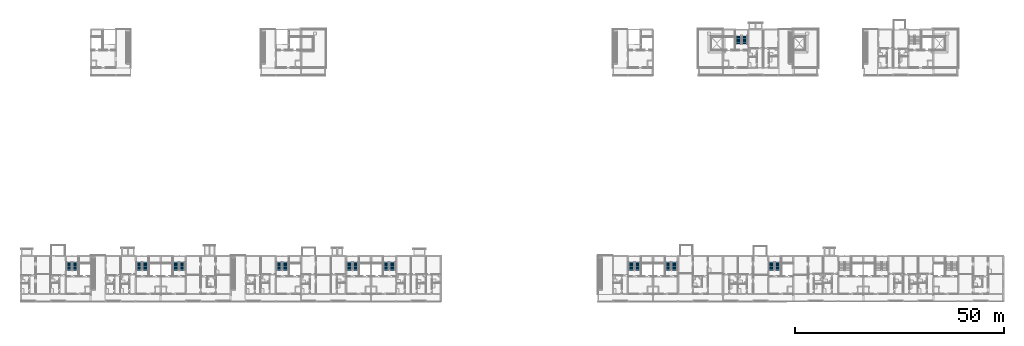
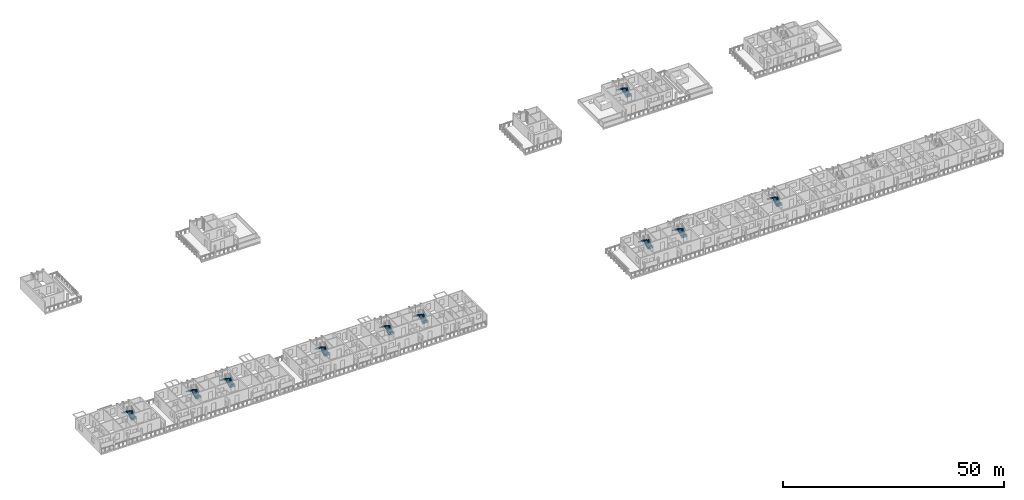
# One storey, part 53 of 78: 20 stair flights, 10 elements without a shape of their own.
"""IFC4 building model written with IfcOpenShell, lengths in metres."""

from ifc_helpers import new_model, si_unit, direction, frame, origin, place, context, subcontext, project, spatial, polyline, outline, extrude, material, type_object, element, aggregate, save


model = new_model("IFC4")

# Units and contexts
model_context = context("Model", 3, precision=1e-05, world=origin(), true_north=direction((0.0, 1.0)))
body_context = subcontext(model_context, "Body", "Model", "MODEL_VIEW")
ifc_project = project(units=[si_unit("LENGTHUNIT", "METRE"), si_unit("AREAUNIT", "SQUARE_METRE"), si_unit("VOLUMEUNIT", "CUBIC_METRE"), si_unit("PLANEANGLEUNIT", "RADIAN"), si_unit("MASSUNIT", "GRAM", prefix="KILO")], contexts=[model_context])

# Site, building, storey
site_placement = place(None, origin())
site = spatial("IfcSite", under=ifc_project, at=site_placement, CompositionType="ELEMENT")
building_placement = place(site_placement, origin())
building = spatial("IfcBuilding", under=site, at=building_placement, Name="Ridgestep Commons", CompositionType="ELEMENT")
storey_placement = place(building_placement, frame((0.0, 0.0, 30.0)))
storey = spatial("IfcBuildingStorey", under=building, at=storey_placement, Name="L10", CompositionType="ELEMENT", Elevation=30.0)

# Stair, stair flights
ifc_material_1 = material(Name="Precast concrete C40/50", Category="concrete")
stair_type = type_object("IfcStairType", Name="Escape stair 1400", PredefinedType="HALF_TURN_STAIR", material=ifc_material_1)
stair_1_placement = place(storey_placement, origin())
stair_1 = element("IfcStair", 1, at=stair_1_placement, inside=storey, type_object=stair_type, Name="L10 Escape stair A1C", PredefinedType="HALF_TURN_STAIR")
ifc_material_2 = material(Name="Precast concrete C40/50", Category="concrete")
stair_flight_type = type_object("IfcStairFlightType", Name="Stair flight 1400", PredefinedType="STRAIGHT", material=ifc_material_2)
stair_flight_1_placement = place(storey_placement, frame((25.125, 19.35009765625, 0.0), z_axis=(0.0, 0.0, 1.0), x_axis=(0.0, 1.0, 0.0)))
stair_flight_1 = element("IfcStairFlight", 2, at=stair_flight_1_placement, type_object=stair_flight_type, Name="A1C flight 1", NumberOfRisers=8, NumberOfTreads=7, PredefinedType="STRAIGHT", RiserHeight=0.1875, TreadLength=0.28, context=body_context, shape_type="SweptSolid", body=[
    extrude(outline(polyline([(0.0, 0.0), (0.0, 0.1875), (0.280029296875, 0.1875), (0.280029296875, 0.375), (0.56005859375, 0.375), (0.56005859375, 0.5625), (0.840087890625, 0.5625), (0.840087890625, 0.75), (1.1201171875, 0.75), (1.1201171875, 0.9375), (1.39990234375, 0.9375), (1.39990234375, 1.125), (1.679931640625, 1.125), (1.679931640625, 1.3125), (1.9599609375, 1.3125), (1.9599609375, 1.5), (1.9599609375, 1.132080078125), (0.26953125, 0.0), (0.0, 0.0)])), frame((0.0, 0.699951171875, 0.0), z_axis=(0.0, -1.0, 0.0), x_axis=(1.0, 0.0, 0.0)), (0.0, 0.0, 1.0), 0.695068359375),
    extrude(outline(polyline([(0.0, 0.0), (0.0, 0.1875), (0.280029296875, 0.1875), (0.280029296875, 0.375), (0.56005859375, 0.375), (0.56005859375, 0.5625), (0.840087890625, 0.5625), (0.840087890625, 0.75), (1.1201171875, 0.75), (1.1201171875, 0.9375), (1.39990234375, 0.9375), (1.39990234375, 1.125), (1.679931640625, 1.125), (1.679931640625, 1.3125), (1.9599609375, 1.3125), (1.9599609375, 1.5), (1.9599609375, 1.132080078125), (0.26953125, 0.0), (0.0, 0.0)])), frame((0.0, -0.0048828125, 0.0), z_axis=(0.0, -1.0, 0.0), x_axis=(1.0, 0.0, 0.0)), (0.0, 0.0, 1.0), 0.695068359375),
])
stair_flight_2_placement = place(storey_placement, frame((23.625, 21.31005859375, 1.5), z_axis=(0.0, 0.0, 1.0), x_axis=(0.0, -1.0, 0.0)))
stair_flight_2 = element("IfcStairFlight", 3, at=stair_flight_2_placement, type_object=stair_flight_type, Name="A1C flight 2", NumberOfRisers=8, NumberOfTreads=7, PredefinedType="STRAIGHT", RiserHeight=0.1875, TreadLength=0.28, context=body_context, shape_type="SweptSolid", body=[
    extrude(outline(polyline([(0.0, 0.0), (0.0, 0.1875), (0.280029296875, 0.1875), (0.280029296875, 0.375), (0.56005859375, 0.375), (0.56005859375, 0.5625), (0.840087890625, 0.5625), (0.840087890625, 0.75), (1.1201171875, 0.75), (1.1201171875, 0.9375), (1.39990234375, 0.9375), (1.39990234375, 1.125), (1.679931640625, 1.125), (1.679931640625, 1.3125), (1.9599609375, 1.3125), (1.9599609375, 1.5), (1.9599609375, 1.132080078125), (0.26953125, 0.0), (0.0, 0.0)])), frame((0.0, 0.699951171875, 0.0), z_axis=(0.0, -1.0, 0.0), x_axis=(1.0, 0.0, 0.0)), (0.0, 0.0, 1.0), 0.695068359375),
    extrude(outline(polyline([(0.0, 0.0), (0.0, 0.1875), (0.280029296875, 0.1875), (0.280029296875, 0.375), (0.56005859375, 0.375), (0.56005859375, 0.5625), (0.840087890625, 0.5625), (0.840087890625, 0.75), (1.1201171875, 0.75), (1.1201171875, 0.9375), (1.39990234375, 0.9375), (1.39990234375, 1.125), (1.679931640625, 1.125), (1.679931640625, 1.3125), (1.9599609375, 1.3125), (1.9599609375, 1.5), (1.9599609375, 1.132080078125), (0.26953125, 0.0), (0.0, 0.0)])), frame((0.0, -0.0048828125, 0.0), z_axis=(0.0, -1.0, 0.0), x_axis=(1.0, 0.0, 0.0)), (0.0, 0.0, 1.0), 0.695068359375),
])
aggregate(stair_1, [stair_flight_1, stair_flight_2])

stair_2_placement = place(storey_placement, origin())
stair_2 = element("IfcStair", 4, at=stair_2_placement, inside=storey, type_object=stair_type, Name="L10 Escape stair A2C", PredefinedType="HALF_TURN_STAIR")
stair_flight_3_placement = place(storey_placement, frame((41.925048828125, 19.35009765625, 0.0), z_axis=(0.0, 0.0, 1.0), x_axis=(0.0, 1.0, 0.0)))
stair_flight_3 = element("IfcStairFlight", 5, at=stair_flight_3_placement, type_object=stair_flight_type, Name="A2C flight 1", NumberOfRisers=8, NumberOfTreads=7, PredefinedType="STRAIGHT", RiserHeight=0.1875, TreadLength=0.28, context=body_context, shape_type="SweptSolid", body=[
    extrude(outline(polyline([(0.0, 0.0), (0.0, 0.1875), (0.280029296875, 0.1875), (0.280029296875, 0.375), (0.56005859375, 0.375), (0.56005859375, 0.5625), (0.840087890625, 0.5625), (0.840087890625, 0.75), (1.1201171875, 0.75), (1.1201171875, 0.9375), (1.39990234375, 0.9375), (1.39990234375, 1.125), (1.679931640625, 1.125), (1.679931640625, 1.3125), (1.9599609375, 1.3125), (1.9599609375, 1.5), (1.9599609375, 1.132080078125), (0.26953125, 0.0), (0.0, 0.0)])), frame((0.0, 0.699951171875, 0.0), z_axis=(0.0, -1.0, 0.0), x_axis=(1.0, 0.0, 0.0)), (0.0, 0.0, 1.0), 0.695068359375),
    extrude(outline(polyline([(0.0, 0.0), (0.0, 0.1875), (0.280029296875, 0.1875), (0.280029296875, 0.375), (0.56005859375, 0.375), (0.56005859375, 0.5625), (0.840087890625, 0.5625), (0.840087890625, 0.75), (1.1201171875, 0.75), (1.1201171875, 0.9375), (1.39990234375, 0.9375), (1.39990234375, 1.125), (1.679931640625, 1.125), (1.679931640625, 1.3125), (1.9599609375, 1.3125), (1.9599609375, 1.5), (1.9599609375, 1.132080078125), (0.26953125, 0.0), (0.0, 0.0)])), frame((0.0, -0.0048828125, 0.0), z_axis=(0.0, -1.0, 0.0), x_axis=(1.0, 0.0, 0.0)), (0.0, 0.0, 1.0), 0.695068359375),
])
stair_flight_4_placement = place(storey_placement, frame((40.425048828125, 21.31005859375, 1.5), z_axis=(0.0, 0.0, 1.0), x_axis=(0.0, -1.0, 0.0)))
stair_flight_4 = element("IfcStairFlight", 6, at=stair_flight_4_placement, type_object=stair_flight_type, Name="A2C flight 2", NumberOfRisers=8, NumberOfTreads=7, PredefinedType="STRAIGHT", RiserHeight=0.1875, TreadLength=0.28, context=body_context, shape_type="SweptSolid", body=[
    extrude(outline(polyline([(0.0, 0.0), (0.0, 0.1875), (0.280029296875, 0.1875), (0.280029296875, 0.375), (0.56005859375, 0.375), (0.56005859375, 0.5625), (0.840087890625, 0.5625), (0.840087890625, 0.75), (1.1201171875, 0.75), (1.1201171875, 0.9375), (1.39990234375, 0.9375), (1.39990234375, 1.125), (1.679931640625, 1.125), (1.679931640625, 1.3125), (1.9599609375, 1.3125), (1.9599609375, 1.5), (1.9599609375, 1.132080078125), (0.26953125, 0.0), (0.0, 0.0)])), frame((0.0, 0.699951171875, 0.0), z_axis=(0.0, -1.0, 0.0), x_axis=(1.0, 0.0, 0.0)), (0.0, 0.0, 1.0), 0.695068359375),
    extrude(outline(polyline([(0.0, 0.0), (0.0, 0.1875), (0.280029296875, 0.1875), (0.280029296875, 0.375), (0.56005859375, 0.375), (0.56005859375, 0.5625), (0.840087890625, 0.5625), (0.840087890625, 0.75), (1.1201171875, 0.75), (1.1201171875, 0.9375), (1.39990234375, 0.9375), (1.39990234375, 1.125), (1.679931640625, 1.125), (1.679931640625, 1.3125), (1.9599609375, 1.3125), (1.9599609375, 1.5), (1.9599609375, 1.132080078125), (0.26953125, 0.0), (0.0, 0.0)])), frame((0.0, -0.0048828125, 0.0), z_axis=(0.0, -1.0, 0.0), x_axis=(1.0, 0.0, 0.0)), (0.0, 0.0, 1.0), 0.695068359375),
])
aggregate(stair_2, [stair_flight_3, stair_flight_4])

stair_3_placement = place(storey_placement, origin())
stair_3 = element("IfcStair", 7, at=stair_3_placement, inside=storey, type_object=stair_type, Name="L10 Escape stair A3C", PredefinedType="HALF_TURN_STAIR")
stair_flight_5_placement = place(storey_placement, frame((50.77490234375, 19.35009765625, 0.0), z_axis=(0.0, 0.0, 1.0), x_axis=(0.0, 1.0, 0.0)))
stair_flight_5 = element("IfcStairFlight", 8, at=stair_flight_5_placement, type_object=stair_flight_type, Name="A3C flight 1", NumberOfRisers=8, NumberOfTreads=7, PredefinedType="STRAIGHT", RiserHeight=0.1875, TreadLength=0.28, context=body_context, shape_type="SweptSolid", body=[
    extrude(outline(polyline([(0.0, 0.0), (0.0, 0.1875), (0.280029296875, 0.1875), (0.280029296875, 0.375), (0.56005859375, 0.375), (0.56005859375, 0.5625), (0.840087890625, 0.5625), (0.840087890625, 0.75), (1.1201171875, 0.75), (1.1201171875, 0.9375), (1.39990234375, 0.9375), (1.39990234375, 1.125), (1.679931640625, 1.125), (1.679931640625, 1.3125), (1.9599609375, 1.3125), (1.9599609375, 1.5), (1.9599609375, 1.132080078125), (0.26953125, 0.0), (0.0, 0.0)])), frame((0.0, 0.699951171875, 0.0), z_axis=(0.0, -1.0, 0.0), x_axis=(1.0, 0.0, 0.0)), (0.0, 0.0, 1.0), 0.695068359375),
    extrude(outline(polyline([(0.0, 0.0), (0.0, 0.1875), (0.280029296875, 0.1875), (0.280029296875, 0.375), (0.56005859375, 0.375), (0.56005859375, 0.5625), (0.840087890625, 0.5625), (0.840087890625, 0.75), (1.1201171875, 0.75), (1.1201171875, 0.9375), (1.39990234375, 0.9375), (1.39990234375, 1.125), (1.679931640625, 1.125), (1.679931640625, 1.3125), (1.9599609375, 1.3125), (1.9599609375, 1.5), (1.9599609375, 1.132080078125), (0.26953125, 0.0), (0.0, 0.0)])), frame((0.0, -0.0048828125, 0.0), z_axis=(0.0, -1.0, 0.0), x_axis=(1.0, 0.0, 0.0)), (0.0, 0.0, 1.0), 0.695068359375),
])
stair_flight_6_placement = place(storey_placement, frame((49.27490234375, 21.31005859375, 1.5), z_axis=(0.0, 0.0, 1.0), x_axis=(0.0, -1.0, 0.0)))
stair_flight_6 = element("IfcStairFlight", 9, at=stair_flight_6_placement, type_object=stair_flight_type, Name="A3C flight 2", NumberOfRisers=8, NumberOfTreads=7, PredefinedType="STRAIGHT", RiserHeight=0.1875, TreadLength=0.28, context=body_context, shape_type="SweptSolid", body=[
    extrude(outline(polyline([(0.0, 0.0), (0.0, 0.1875), (0.280029296875, 0.1875), (0.280029296875, 0.375), (0.56005859375, 0.375), (0.56005859375, 0.5625), (0.840087890625, 0.5625), (0.840087890625, 0.75), (1.1201171875, 0.75), (1.1201171875, 0.9375), (1.39990234375, 0.9375), (1.39990234375, 1.125), (1.679931640625, 1.125), (1.679931640625, 1.3125), (1.9599609375, 1.3125), (1.9599609375, 1.5), (1.9599609375, 1.132080078125), (0.26953125, 0.0), (0.0, 0.0)])), frame((0.0, 0.699951171875, 0.0), z_axis=(0.0, -1.0, 0.0), x_axis=(1.0, 0.0, 0.0)), (0.0, 0.0, 1.0), 0.695068359375),
    extrude(outline(polyline([(0.0, 0.0), (0.0, 0.1875), (0.280029296875, 0.1875), (0.280029296875, 0.375), (0.56005859375, 0.375), (0.56005859375, 0.5625), (0.840087890625, 0.5625), (0.840087890625, 0.75), (1.1201171875, 0.75), (1.1201171875, 0.9375), (1.39990234375, 0.9375), (1.39990234375, 1.125), (1.679931640625, 1.125), (1.679931640625, 1.3125), (1.9599609375, 1.3125), (1.9599609375, 1.5), (1.9599609375, 1.132080078125), (0.26953125, 0.0), (0.0, 0.0)])), frame((0.0, -0.0048828125, 0.0), z_axis=(0.0, -1.0, 0.0), x_axis=(1.0, 0.0, 0.0)), (0.0, 0.0, 1.0), 0.695068359375),
])
aggregate(stair_3, [stair_flight_5, stair_flight_6])

stair_4_placement = place(storey_placement, origin())
stair_4 = element("IfcStair", 10, at=stair_4_placement, inside=storey, type_object=stair_type, Name="L10 Escape stair A4C", PredefinedType="HALF_TURN_STAIR")
stair_flight_7_placement = place(storey_placement, frame((75.52490234375, 19.35009765625, 0.0), z_axis=(0.0, 0.0, 1.0), x_axis=(0.0, 1.0, 0.0)))
stair_flight_7 = element("IfcStairFlight", 11, at=stair_flight_7_placement, type_object=stair_flight_type, Name="A4C flight 1", NumberOfRisers=8, NumberOfTreads=7, PredefinedType="STRAIGHT", RiserHeight=0.1875, TreadLength=0.28, context=body_context, shape_type="SweptSolid", body=[
    extrude(outline(polyline([(0.0, 0.0), (0.0, 0.1875), (0.280029296875, 0.1875), (0.280029296875, 0.375), (0.56005859375, 0.375), (0.56005859375, 0.5625), (0.840087890625, 0.5625), (0.840087890625, 0.75), (1.1201171875, 0.75), (1.1201171875, 0.9375), (1.39990234375, 0.9375), (1.39990234375, 1.125), (1.679931640625, 1.125), (1.679931640625, 1.3125), (1.9599609375, 1.3125), (1.9599609375, 1.5), (1.9599609375, 1.132080078125), (0.26953125, 0.0), (0.0, 0.0)])), frame((0.0, 0.699951171875, 0.0), z_axis=(0.0, -1.0, 0.0), x_axis=(1.0, 0.0, 0.0)), (0.0, 0.0, 1.0), 0.695068359375),
    extrude(outline(polyline([(0.0, 0.0), (0.0, 0.1875), (0.280029296875, 0.1875), (0.280029296875, 0.375), (0.56005859375, 0.375), (0.56005859375, 0.5625), (0.840087890625, 0.5625), (0.840087890625, 0.75), (1.1201171875, 0.75), (1.1201171875, 0.9375), (1.39990234375, 0.9375), (1.39990234375, 1.125), (1.679931640625, 1.125), (1.679931640625, 1.3125), (1.9599609375, 1.3125), (1.9599609375, 1.5), (1.9599609375, 1.132080078125), (0.26953125, 0.0), (0.0, 0.0)])), frame((0.0, -0.0048828125, 0.0), z_axis=(0.0, -1.0, 0.0), x_axis=(1.0, 0.0, 0.0)), (0.0, 0.0, 1.0), 0.695068359375),
])
stair_flight_8_placement = place(storey_placement, frame((74.02490234375, 21.31005859375, 1.5), z_axis=(0.0, 0.0, 1.0), x_axis=(0.0, -1.0, 0.0)))
stair_flight_8 = element("IfcStairFlight", 12, at=stair_flight_8_placement, type_object=stair_flight_type, Name="A4C flight 2", NumberOfRisers=8, NumberOfTreads=7, PredefinedType="STRAIGHT", RiserHeight=0.1875, TreadLength=0.28, context=body_context, shape_type="SweptSolid", body=[
    extrude(outline(polyline([(0.0, 0.0), (0.0, 0.1875), (0.280029296875, 0.1875), (0.280029296875, 0.375), (0.56005859375, 0.375), (0.56005859375, 0.5625), (0.840087890625, 0.5625), (0.840087890625, 0.75), (1.1201171875, 0.75), (1.1201171875, 0.9375), (1.39990234375, 0.9375), (1.39990234375, 1.125), (1.679931640625, 1.125), (1.679931640625, 1.3125), (1.9599609375, 1.3125), (1.9599609375, 1.5), (1.9599609375, 1.132080078125), (0.26953125, 0.0), (0.0, 0.0)])), frame((0.0, 0.699951171875, 0.0), z_axis=(0.0, -1.0, 0.0), x_axis=(1.0, 0.0, 0.0)), (0.0, 0.0, 1.0), 0.695068359375),
    extrude(outline(polyline([(0.0, 0.0), (0.0, 0.1875), (0.280029296875, 0.1875), (0.280029296875, 0.375), (0.56005859375, 0.375), (0.56005859375, 0.5625), (0.840087890625, 0.5625), (0.840087890625, 0.75), (1.1201171875, 0.75), (1.1201171875, 0.9375), (1.39990234375, 0.9375), (1.39990234375, 1.125), (1.679931640625, 1.125), (1.679931640625, 1.3125), (1.9599609375, 1.3125), (1.9599609375, 1.5), (1.9599609375, 1.132080078125), (0.26953125, 0.0), (0.0, 0.0)])), frame((0.0, -0.0048828125, 0.0), z_axis=(0.0, -1.0, 0.0), x_axis=(1.0, 0.0, 0.0)), (0.0, 0.0, 1.0), 0.695068359375),
])
aggregate(stair_4, [stair_flight_7, stair_flight_8])

stair_5_placement = place(storey_placement, origin())
stair_5 = element("IfcStair", 13, at=stair_5_placement, inside=storey, type_object=stair_type, Name="L10 Escape stair A5C", PredefinedType="HALF_TURN_STAIR")
stair_flight_9_placement = place(storey_placement, frame((92.324951171875, 19.35009765625, 0.0), z_axis=(0.0, 0.0, 1.0), x_axis=(0.0, 1.0, 0.0)))
stair_flight_9 = element("IfcStairFlight", 14, at=stair_flight_9_placement, type_object=stair_flight_type, Name="A5C flight 1", NumberOfRisers=8, NumberOfTreads=7, PredefinedType="STRAIGHT", RiserHeight=0.1875, TreadLength=0.28, context=body_context, shape_type="SweptSolid", body=[
    extrude(outline(polyline([(0.0, 0.0), (0.0, 0.1875), (0.280029296875, 0.1875), (0.280029296875, 0.375), (0.56005859375, 0.375), (0.56005859375, 0.5625), (0.840087890625, 0.5625), (0.840087890625, 0.75), (1.1201171875, 0.75), (1.1201171875, 0.9375), (1.39990234375, 0.9375), (1.39990234375, 1.125), (1.679931640625, 1.125), (1.679931640625, 1.3125), (1.9599609375, 1.3125), (1.9599609375, 1.5), (1.9599609375, 1.132080078125), (0.26953125, 0.0), (0.0, 0.0)])), frame((0.0, 0.699951171875, 0.0), z_axis=(0.0, -1.0, 0.0), x_axis=(1.0, 0.0, 0.0)), (0.0, 0.0, 1.0), 0.695068359375),
    extrude(outline(polyline([(0.0, 0.0), (0.0, 0.1875), (0.280029296875, 0.1875), (0.280029296875, 0.375), (0.56005859375, 0.375), (0.56005859375, 0.5625), (0.840087890625, 0.5625), (0.840087890625, 0.75), (1.1201171875, 0.75), (1.1201171875, 0.9375), (1.39990234375, 0.9375), (1.39990234375, 1.125), (1.679931640625, 1.125), (1.679931640625, 1.3125), (1.9599609375, 1.3125), (1.9599609375, 1.5), (1.9599609375, 1.132080078125), (0.26953125, 0.0), (0.0, 0.0)])), frame((0.0, -0.0048828125, 0.0), z_axis=(0.0, -1.0, 0.0), x_axis=(1.0, 0.0, 0.0)), (0.0, 0.0, 1.0), 0.695068359375),
])
stair_flight_10_placement = place(storey_placement, frame((90.824951171875, 21.31005859375, 1.5), z_axis=(0.0, 0.0, 1.0), x_axis=(0.0, -1.0, 0.0)))
stair_flight_10 = element("IfcStairFlight", 15, at=stair_flight_10_placement, type_object=stair_flight_type, Name="A5C flight 2", NumberOfRisers=8, NumberOfTreads=7, PredefinedType="STRAIGHT", RiserHeight=0.1875, TreadLength=0.28, context=body_context, shape_type="SweptSolid", body=[
    extrude(outline(polyline([(0.0, 0.0), (0.0, 0.1875), (0.280029296875, 0.1875), (0.280029296875, 0.375), (0.56005859375, 0.375), (0.56005859375, 0.5625), (0.840087890625, 0.5625), (0.840087890625, 0.75), (1.1201171875, 0.75), (1.1201171875, 0.9375), (1.39990234375, 0.9375), (1.39990234375, 1.125), (1.679931640625, 1.125), (1.679931640625, 1.3125), (1.9599609375, 1.3125), (1.9599609375, 1.5), (1.9599609375, 1.132080078125), (0.26953125, 0.0), (0.0, 0.0)])), frame((0.0, 0.699951171875, 0.0), z_axis=(0.0, -1.0, 0.0), x_axis=(1.0, 0.0, 0.0)), (0.0, 0.0, 1.0), 0.695068359375),
    extrude(outline(polyline([(0.0, 0.0), (0.0, 0.1875), (0.280029296875, 0.1875), (0.280029296875, 0.375), (0.56005859375, 0.375), (0.56005859375, 0.5625), (0.840087890625, 0.5625), (0.840087890625, 0.75), (1.1201171875, 0.75), (1.1201171875, 0.9375), (1.39990234375, 0.9375), (1.39990234375, 1.125), (1.679931640625, 1.125), (1.679931640625, 1.3125), (1.9599609375, 1.3125), (1.9599609375, 1.5), (1.9599609375, 1.132080078125), (0.26953125, 0.0), (0.0, 0.0)])), frame((0.0, -0.0048828125, 0.0), z_axis=(0.0, -1.0, 0.0), x_axis=(1.0, 0.0, 0.0)), (0.0, 0.0, 1.0), 0.695068359375),
])
aggregate(stair_5, [stair_flight_9, stair_flight_10])

stair_6_placement = place(storey_placement, origin())
stair_6 = element("IfcStair", 16, at=stair_6_placement, inside=storey, type_object=stair_type, Name="L10 Escape stair A6C", PredefinedType="HALF_TURN_STAIR")
stair_flight_11_placement = place(storey_placement, frame((101.175048828125, 19.35009765625, 0.0), z_axis=(0.0, 0.0, 1.0), x_axis=(0.0, 1.0, 0.0)))
stair_flight_11 = element("IfcStairFlight", 17, at=stair_flight_11_placement, type_object=stair_flight_type, Name="A6C flight 1", NumberOfRisers=8, NumberOfTreads=7, PredefinedType="STRAIGHT", RiserHeight=0.1875, TreadLength=0.28, context=body_context, shape_type="SweptSolid", body=[
    extrude(outline(polyline([(0.0, 0.0), (0.0, 0.1875), (0.280029296875, 0.1875), (0.280029296875, 0.375), (0.56005859375, 0.375), (0.56005859375, 0.5625), (0.840087890625, 0.5625), (0.840087890625, 0.75), (1.1201171875, 0.75), (1.1201171875, 0.9375), (1.39990234375, 0.9375), (1.39990234375, 1.125), (1.679931640625, 1.125), (1.679931640625, 1.3125), (1.9599609375, 1.3125), (1.9599609375, 1.5), (1.9599609375, 1.132080078125), (0.26953125, 0.0), (0.0, 0.0)])), frame((0.0, 0.699951171875, 0.0), z_axis=(0.0, -1.0, 0.0), x_axis=(1.0, 0.0, 0.0)), (0.0, 0.0, 1.0), 0.695068359375),
    extrude(outline(polyline([(0.0, 0.0), (0.0, 0.1875), (0.280029296875, 0.1875), (0.280029296875, 0.375), (0.56005859375, 0.375), (0.56005859375, 0.5625), (0.840087890625, 0.5625), (0.840087890625, 0.75), (1.1201171875, 0.75), (1.1201171875, 0.9375), (1.39990234375, 0.9375), (1.39990234375, 1.125), (1.679931640625, 1.125), (1.679931640625, 1.3125), (1.9599609375, 1.3125), (1.9599609375, 1.5), (1.9599609375, 1.132080078125), (0.26953125, 0.0), (0.0, 0.0)])), frame((0.0, -0.0048828125, 0.0), z_axis=(0.0, -1.0, 0.0), x_axis=(1.0, 0.0, 0.0)), (0.0, 0.0, 1.0), 0.695068359375),
])
stair_flight_12_placement = place(storey_placement, frame((99.675048828125, 21.31005859375, 1.5), z_axis=(0.0, 0.0, 1.0), x_axis=(0.0, -1.0, 0.0)))
stair_flight_12 = element("IfcStairFlight", 18, at=stair_flight_12_placement, type_object=stair_flight_type, Name="A6C flight 2", NumberOfRisers=8, NumberOfTreads=7, PredefinedType="STRAIGHT", RiserHeight=0.1875, TreadLength=0.28, context=body_context, shape_type="SweptSolid", body=[
    extrude(outline(polyline([(0.0, 0.0), (0.0, 0.1875), (0.280029296875, 0.1875), (0.280029296875, 0.375), (0.56005859375, 0.375), (0.56005859375, 0.5625), (0.840087890625, 0.5625), (0.840087890625, 0.75), (1.1201171875, 0.75), (1.1201171875, 0.9375), (1.39990234375, 0.9375), (1.39990234375, 1.125), (1.679931640625, 1.125), (1.679931640625, 1.3125), (1.9599609375, 1.3125), (1.9599609375, 1.5), (1.9599609375, 1.132080078125), (0.26953125, 0.0), (0.0, 0.0)])), frame((0.0, 0.699951171875, 0.0), z_axis=(0.0, -1.0, 0.0), x_axis=(1.0, 0.0, 0.0)), (0.0, 0.0, 1.0), 0.695068359375),
    extrude(outline(polyline([(0.0, 0.0), (0.0, 0.1875), (0.280029296875, 0.1875), (0.280029296875, 0.375), (0.56005859375, 0.375), (0.56005859375, 0.5625), (0.840087890625, 0.5625), (0.840087890625, 0.75), (1.1201171875, 0.75), (1.1201171875, 0.9375), (1.39990234375, 0.9375), (1.39990234375, 1.125), (1.679931640625, 1.125), (1.679931640625, 1.3125), (1.9599609375, 1.3125), (1.9599609375, 1.5), (1.9599609375, 1.132080078125), (0.26953125, 0.0), (0.0, 0.0)])), frame((0.0, -0.0048828125, 0.0), z_axis=(0.0, -1.0, 0.0), x_axis=(1.0, 0.0, 0.0)), (0.0, 0.0, 1.0), 0.695068359375),
])
aggregate(stair_6, [stair_flight_11, stair_flight_12])

stair_7_placement = place(storey_placement, origin())
stair_7 = element("IfcStair", 19, at=stair_7_placement, inside=storey, type_object=stair_type, Name="L10 Escape stair C3C", PredefinedType="HALF_TURN_STAIR")
stair_flight_13_placement = place(storey_placement, frame((185.574951171875, 73.60009765625, 0.0), z_axis=(0.0, 0.0, 1.0), x_axis=(0.0, 1.0, 0.0)))
stair_flight_13 = element("IfcStairFlight", 20, at=stair_flight_13_placement, type_object=stair_flight_type, Name="C3C flight 1", NumberOfRisers=8, NumberOfTreads=7, PredefinedType="STRAIGHT", RiserHeight=0.1875, TreadLength=0.28, context=body_context, shape_type="SweptSolid", body=[
    extrude(outline(polyline([(0.0, 0.0), (0.0, 0.1875), (0.280029296875, 0.1875), (0.280029296875, 0.375), (0.56005859375, 0.375), (0.56005859375, 0.5625), (0.840087890625, 0.5625), (0.840087890625, 0.75), (1.1201171875, 0.75), (1.1201171875, 0.9375), (1.39990234375, 0.9375), (1.39990234375, 1.125), (1.679931640625, 1.125), (1.679931640625, 1.3125), (1.9599609375, 1.3125), (1.9599609375, 1.5), (1.9599609375, 1.132080078125), (0.26953125, 0.0), (0.0, 0.0)])), frame((0.0, 0.699951171875, 0.0), z_axis=(0.0, -1.0, 0.0), x_axis=(1.0, 0.0, 0.0)), (0.0, 0.0, 1.0), 0.695068359375),
    extrude(outline(polyline([(0.0, 0.0), (0.0, 0.1875), (0.280029296875, 0.1875), (0.280029296875, 0.375), (0.56005859375, 0.375), (0.56005859375, 0.5625), (0.840087890625, 0.5625), (0.840087890625, 0.75), (1.1201171875, 0.75), (1.1201171875, 0.9375), (1.39990234375, 0.9375), (1.39990234375, 1.125), (1.679931640625, 1.125), (1.679931640625, 1.3125), (1.9599609375, 1.3125), (1.9599609375, 1.5), (1.9599609375, 1.132080078125), (0.26953125, 0.0), (0.0, 0.0)])), frame((0.0, -0.0048828125, 0.0), z_axis=(0.0, -1.0, 0.0), x_axis=(1.0, 0.0, 0.0)), (0.0, 0.0, 1.0), 0.695068359375),
])
stair_flight_14_placement = place(storey_placement, frame((184.074951171875, 75.56005859375, 1.5), z_axis=(0.0, 0.0, 1.0), x_axis=(0.0, -1.0, 0.0)))
stair_flight_14 = element("IfcStairFlight", 21, at=stair_flight_14_placement, type_object=stair_flight_type, Name="C3C flight 2", NumberOfRisers=8, NumberOfTreads=7, PredefinedType="STRAIGHT", RiserHeight=0.1875, TreadLength=0.28, context=body_context, shape_type="SweptSolid", body=[
    extrude(outline(polyline([(0.0, 0.0), (0.0, 0.1875), (0.280029296875, 0.1875), (0.280029296875, 0.375), (0.56005859375, 0.375), (0.56005859375, 0.5625), (0.840087890625, 0.5625), (0.840087890625, 0.75), (1.1201171875, 0.75), (1.1201171875, 0.9375), (1.39990234375, 0.9375), (1.39990234375, 1.125), (1.679931640625, 1.125), (1.679931640625, 1.3125), (1.9599609375, 1.3125), (1.9599609375, 1.5), (1.9599609375, 1.132080078125), (0.26953125, 0.0), (0.0, 0.0)])), frame((0.0, 0.699951171875, 0.0), z_axis=(0.0, -1.0, 0.0), x_axis=(1.0, 0.0, 0.0)), (0.0, 0.0, 1.0), 0.695068359375),
    extrude(outline(polyline([(0.0, 0.0), (0.0, 0.1875), (0.280029296875, 0.1875), (0.280029296875, 0.375), (0.56005859375, 0.375), (0.56005859375, 0.5625), (0.840087890625, 0.5625), (0.840087890625, 0.75), (1.1201171875, 0.75), (1.1201171875, 0.9375), (1.39990234375, 0.9375), (1.39990234375, 1.125), (1.679931640625, 1.125), (1.679931640625, 1.3125), (1.9599609375, 1.3125), (1.9599609375, 1.5), (1.9599609375, 1.132080078125), (0.26953125, 0.0), (0.0, 0.0)])), frame((0.0, -0.0048828125, 0.0), z_axis=(0.0, -1.0, 0.0), x_axis=(1.0, 0.0, 0.0)), (0.0, 0.0, 1.0), 0.695068359375),
])
aggregate(stair_7, [stair_flight_13, stair_flight_14])

stair_8_placement = place(storey_placement, origin())
stair_8 = element("IfcStair", 22, at=stair_8_placement, inside=storey, type_object=stair_type, Name="L10 Escape stair D1C", PredefinedType="HALF_TURN_STAIR")
stair_flight_15_placement = place(storey_placement, frame((159.925048828125, 19.35009765625, 0.0), z_axis=(0.0, 0.0, 1.0), x_axis=(0.0, 1.0, 0.0)))
stair_flight_15 = element("IfcStairFlight", 23, at=stair_flight_15_placement, type_object=stair_flight_type, Name="D1C flight 1", NumberOfRisers=8, NumberOfTreads=7, PredefinedType="STRAIGHT", RiserHeight=0.1875, TreadLength=0.28, context=body_context, shape_type="SweptSolid", body=[
    extrude(outline(polyline([(0.0, 0.0), (0.0, 0.1875), (0.280029296875, 0.1875), (0.280029296875, 0.375), (0.56005859375, 0.375), (0.56005859375, 0.5625), (0.840087890625, 0.5625), (0.840087890625, 0.75), (1.1201171875, 0.75), (1.1201171875, 0.9375), (1.39990234375, 0.9375), (1.39990234375, 1.125), (1.679931640625, 1.125), (1.679931640625, 1.3125), (1.9599609375, 1.3125), (1.9599609375, 1.5), (1.9599609375, 1.132080078125), (0.26953125, 0.0), (0.0, 0.0)])), frame((0.0, 0.699951171875, 0.0), z_axis=(0.0, -1.0, 0.0), x_axis=(1.0, 0.0, 0.0)), (0.0, 0.0, 1.0), 0.695068359375),
    extrude(outline(polyline([(0.0, 0.0), (0.0, 0.1875), (0.280029296875, 0.1875), (0.280029296875, 0.375), (0.56005859375, 0.375), (0.56005859375, 0.5625), (0.840087890625, 0.5625), (0.840087890625, 0.75), (1.1201171875, 0.75), (1.1201171875, 0.9375), (1.39990234375, 0.9375), (1.39990234375, 1.125), (1.679931640625, 1.125), (1.679931640625, 1.3125), (1.9599609375, 1.3125), (1.9599609375, 1.5), (1.9599609375, 1.132080078125), (0.26953125, 0.0), (0.0, 0.0)])), frame((0.0, -0.0048828125, 0.0), z_axis=(0.0, -1.0, 0.0), x_axis=(1.0, 0.0, 0.0)), (0.0, 0.0, 1.0), 0.695068359375),
])
stair_flight_16_placement = place(storey_placement, frame((158.425048828125, 21.31005859375, 1.5), z_axis=(0.0, 0.0, 1.0), x_axis=(0.0, -1.0, 0.0)))
stair_flight_16 = element("IfcStairFlight", 24, at=stair_flight_16_placement, type_object=stair_flight_type, Name="D1C flight 2", NumberOfRisers=8, NumberOfTreads=7, PredefinedType="STRAIGHT", RiserHeight=0.1875, TreadLength=0.28, context=body_context, shape_type="SweptSolid", body=[
    extrude(outline(polyline([(0.0, 0.0), (0.0, 0.1875), (0.280029296875, 0.1875), (0.280029296875, 0.375), (0.56005859375, 0.375), (0.56005859375, 0.5625), (0.840087890625, 0.5625), (0.840087890625, 0.75), (1.1201171875, 0.75), (1.1201171875, 0.9375), (1.39990234375, 0.9375), (1.39990234375, 1.125), (1.679931640625, 1.125), (1.679931640625, 1.3125), (1.9599609375, 1.3125), (1.9599609375, 1.5), (1.9599609375, 1.132080078125), (0.26953125, 0.0), (0.0, 0.0)])), frame((0.0, 0.699951171875, 0.0), z_axis=(0.0, -1.0, 0.0), x_axis=(1.0, 0.0, 0.0)), (0.0, 0.0, 1.0), 0.695068359375),
    extrude(outline(polyline([(0.0, 0.0), (0.0, 0.1875), (0.280029296875, 0.1875), (0.280029296875, 0.375), (0.56005859375, 0.375), (0.56005859375, 0.5625), (0.840087890625, 0.5625), (0.840087890625, 0.75), (1.1201171875, 0.75), (1.1201171875, 0.9375), (1.39990234375, 0.9375), (1.39990234375, 1.125), (1.679931640625, 1.125), (1.679931640625, 1.3125), (1.9599609375, 1.3125), (1.9599609375, 1.5), (1.9599609375, 1.132080078125), (0.26953125, 0.0), (0.0, 0.0)])), frame((0.0, -0.0048828125, 0.0), z_axis=(0.0, -1.0, 0.0), x_axis=(1.0, 0.0, 0.0)), (0.0, 0.0, 1.0), 0.695068359375),
])
aggregate(stair_8, [stair_flight_15, stair_flight_16])

stair_9_placement = place(storey_placement, origin())
stair_9 = element("IfcStair", 25, at=stair_9_placement, inside=storey, type_object=stair_type, Name="L10 Escape stair D2C", PredefinedType="HALF_TURN_STAIR")
stair_flight_17_placement = place(storey_placement, frame((168.77490234375, 19.35009765625, 0.0), z_axis=(0.0, 0.0, 1.0), x_axis=(0.0, 1.0, 0.0)))
stair_flight_17 = element("IfcStairFlight", 26, at=stair_flight_17_placement, type_object=stair_flight_type, Name="D2C flight 1", NumberOfRisers=8, NumberOfTreads=7, PredefinedType="STRAIGHT", RiserHeight=0.1875, TreadLength=0.28, context=body_context, shape_type="SweptSolid", body=[
    extrude(outline(polyline([(0.0, 0.0), (0.0, 0.1875), (0.280029296875, 0.1875), (0.280029296875, 0.375), (0.56005859375, 0.375), (0.56005859375, 0.5625), (0.840087890625, 0.5625), (0.840087890625, 0.75), (1.1201171875, 0.75), (1.1201171875, 0.9375), (1.39990234375, 0.9375), (1.39990234375, 1.125), (1.679931640625, 1.125), (1.679931640625, 1.3125), (1.9599609375, 1.3125), (1.9599609375, 1.5), (1.9599609375, 1.132080078125), (0.26953125, 0.0), (0.0, 0.0)])), frame((0.0, 0.699951171875, 0.0), z_axis=(0.0, -1.0, 0.0), x_axis=(1.0, 0.0, 0.0)), (0.0, 0.0, 1.0), 0.695068359375),
    extrude(outline(polyline([(0.0, 0.0), (0.0, 0.1875), (0.280029296875, 0.1875), (0.280029296875, 0.375), (0.56005859375, 0.375), (0.56005859375, 0.5625), (0.840087890625, 0.5625), (0.840087890625, 0.75), (1.1201171875, 0.75), (1.1201171875, 0.9375), (1.39990234375, 0.9375), (1.39990234375, 1.125), (1.679931640625, 1.125), (1.679931640625, 1.3125), (1.9599609375, 1.3125), (1.9599609375, 1.5), (1.9599609375, 1.132080078125), (0.26953125, 0.0), (0.0, 0.0)])), frame((0.0, -0.0048828125, 0.0), z_axis=(0.0, -1.0, 0.0), x_axis=(1.0, 0.0, 0.0)), (0.0, 0.0, 1.0), 0.695068359375),
])
stair_flight_18_placement = place(storey_placement, frame((167.27490234375, 21.31005859375, 1.5), z_axis=(0.0, 0.0, 1.0), x_axis=(0.0, -1.0, 0.0)))
stair_flight_18 = element("IfcStairFlight", 27, at=stair_flight_18_placement, type_object=stair_flight_type, Name="D2C flight 2", NumberOfRisers=8, NumberOfTreads=7, PredefinedType="STRAIGHT", RiserHeight=0.1875, TreadLength=0.28, context=body_context, shape_type="SweptSolid", body=[
    extrude(outline(polyline([(0.0, 0.0), (0.0, 0.1875), (0.280029296875, 0.1875), (0.280029296875, 0.375), (0.56005859375, 0.375), (0.56005859375, 0.5625), (0.840087890625, 0.5625), (0.840087890625, 0.75), (1.1201171875, 0.75), (1.1201171875, 0.9375), (1.39990234375, 0.9375), (1.39990234375, 1.125), (1.679931640625, 1.125), (1.679931640625, 1.3125), (1.9599609375, 1.3125), (1.9599609375, 1.5), (1.9599609375, 1.132080078125), (0.26953125, 0.0), (0.0, 0.0)])), frame((0.0, 0.699951171875, 0.0), z_axis=(0.0, -1.0, 0.0), x_axis=(1.0, 0.0, 0.0)), (0.0, 0.0, 1.0), 0.695068359375),
    extrude(outline(polyline([(0.0, 0.0), (0.0, 0.1875), (0.280029296875, 0.1875), (0.280029296875, 0.375), (0.56005859375, 0.375), (0.56005859375, 0.5625), (0.840087890625, 0.5625), (0.840087890625, 0.75), (1.1201171875, 0.75), (1.1201171875, 0.9375), (1.39990234375, 0.9375), (1.39990234375, 1.125), (1.679931640625, 1.125), (1.679931640625, 1.3125), (1.9599609375, 1.3125), (1.9599609375, 1.5), (1.9599609375, 1.132080078125), (0.26953125, 0.0), (0.0, 0.0)])), frame((0.0, -0.0048828125, 0.0), z_axis=(0.0, -1.0, 0.0), x_axis=(1.0, 0.0, 0.0)), (0.0, 0.0, 1.0), 0.695068359375),
])
aggregate(stair_9, [stair_flight_17, stair_flight_18])

stair_10_placement = place(storey_placement, origin())
stair_10 = element("IfcStair", 28, at=stair_10_placement, inside=storey, type_object=stair_type, Name="L10 Escape stair D3C", PredefinedType="HALF_TURN_STAIR")
stair_flight_19_placement = place(storey_placement, frame((193.52490234375, 19.35009765625, 0.0), z_axis=(0.0, 0.0, 1.0), x_axis=(0.0, 1.0, 0.0)))
stair_flight_19 = element("IfcStairFlight", 29, at=stair_flight_19_placement, type_object=stair_flight_type, Name="D3C flight 1", NumberOfRisers=8, NumberOfTreads=7, PredefinedType="STRAIGHT", RiserHeight=0.1875, TreadLength=0.28, context=body_context, shape_type="SweptSolid", body=[
    extrude(outline(polyline([(0.0, 0.0), (0.0, 0.1875), (0.280029296875, 0.1875), (0.280029296875, 0.375), (0.56005859375, 0.375), (0.56005859375, 0.5625), (0.840087890625, 0.5625), (0.840087890625, 0.75), (1.1201171875, 0.75), (1.1201171875, 0.9375), (1.39990234375, 0.9375), (1.39990234375, 1.125), (1.679931640625, 1.125), (1.679931640625, 1.3125), (1.9599609375, 1.3125), (1.9599609375, 1.5), (1.9599609375, 1.132080078125), (0.26953125, 0.0), (0.0, 0.0)])), frame((0.0, 0.699951171875, 0.0), z_axis=(0.0, -1.0, 0.0), x_axis=(1.0, 0.0, 0.0)), (0.0, 0.0, 1.0), 0.695068359375),
    extrude(outline(polyline([(0.0, 0.0), (0.0, 0.1875), (0.280029296875, 0.1875), (0.280029296875, 0.375), (0.56005859375, 0.375), (0.56005859375, 0.5625), (0.840087890625, 0.5625), (0.840087890625, 0.75), (1.1201171875, 0.75), (1.1201171875, 0.9375), (1.39990234375, 0.9375), (1.39990234375, 1.125), (1.679931640625, 1.125), (1.679931640625, 1.3125), (1.9599609375, 1.3125), (1.9599609375, 1.5), (1.9599609375, 1.132080078125), (0.26953125, 0.0), (0.0, 0.0)])), frame((0.0, -0.0048828125, 0.0), z_axis=(0.0, -1.0, 0.0), x_axis=(1.0, 0.0, 0.0)), (0.0, 0.0, 1.0), 0.695068359375),
])
stair_flight_20_placement = place(storey_placement, frame((192.02490234375, 21.31005859375, 1.5), z_axis=(0.0, 0.0, 1.0), x_axis=(0.0, -1.0, 0.0)))
stair_flight_20 = element("IfcStairFlight", 30, at=stair_flight_20_placement, type_object=stair_flight_type, Name="D3C flight 2", NumberOfRisers=8, NumberOfTreads=7, PredefinedType="STRAIGHT", RiserHeight=0.1875, TreadLength=0.28, context=body_context, shape_type="SweptSolid", body=[
    extrude(outline(polyline([(0.0, 0.0), (0.0, 0.1875), (0.280029296875, 0.1875), (0.280029296875, 0.375), (0.56005859375, 0.375), (0.56005859375, 0.5625), (0.840087890625, 0.5625), (0.840087890625, 0.75), (1.1201171875, 0.75), (1.1201171875, 0.9375), (1.39990234375, 0.9375), (1.39990234375, 1.125), (1.679931640625, 1.125), (1.679931640625, 1.3125), (1.9599609375, 1.3125), (1.9599609375, 1.5), (1.9599609375, 1.132080078125), (0.26953125, 0.0), (0.0, 0.0)])), frame((0.0, 0.699951171875, 0.0), z_axis=(0.0, -1.0, 0.0), x_axis=(1.0, 0.0, 0.0)), (0.0, 0.0, 1.0), 0.695068359375),
    extrude(outline(polyline([(0.0, 0.0), (0.0, 0.1875), (0.280029296875, 0.1875), (0.280029296875, 0.375), (0.56005859375, 0.375), (0.56005859375, 0.5625), (0.840087890625, 0.5625), (0.840087890625, 0.75), (1.1201171875, 0.75), (1.1201171875, 0.9375), (1.39990234375, 0.9375), (1.39990234375, 1.125), (1.679931640625, 1.125), (1.679931640625, 1.3125), (1.9599609375, 1.3125), (1.9599609375, 1.5), (1.9599609375, 1.132080078125), (0.26953125, 0.0), (0.0, 0.0)])), frame((0.0, -0.0048828125, 0.0), z_axis=(0.0, -1.0, 0.0), x_axis=(1.0, 0.0, 0.0)), (0.0, 0.0, 1.0), 0.695068359375),
])
aggregate(stair_10, [stair_flight_19, stair_flight_20])

save(model, "model.ifc")
